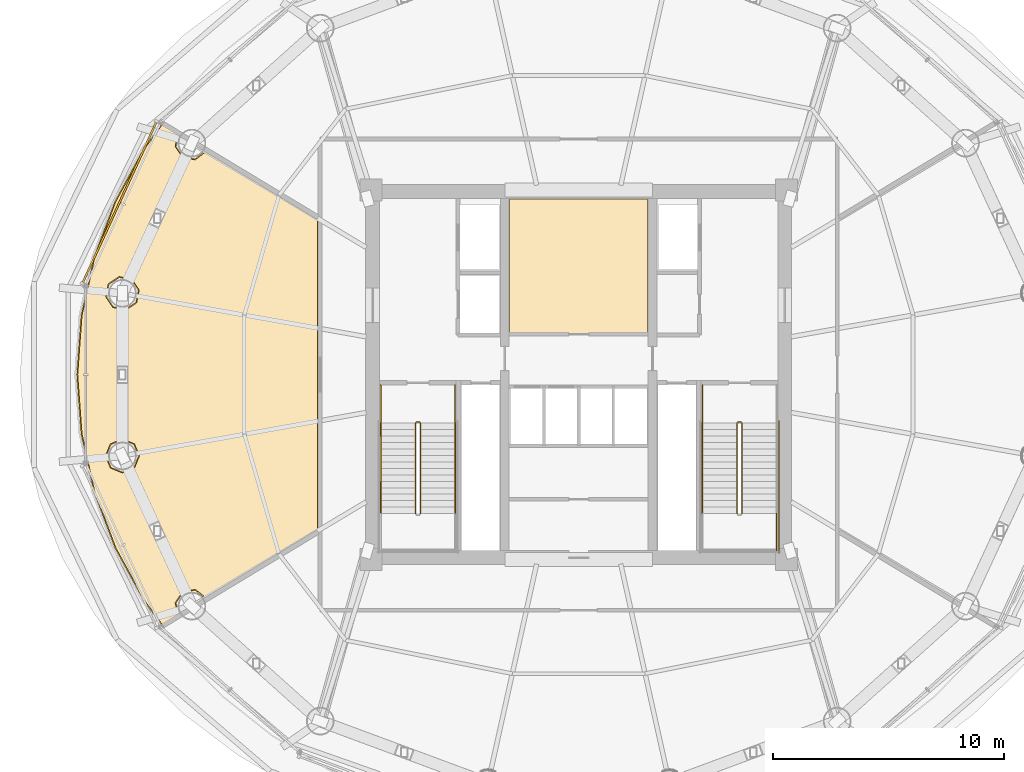
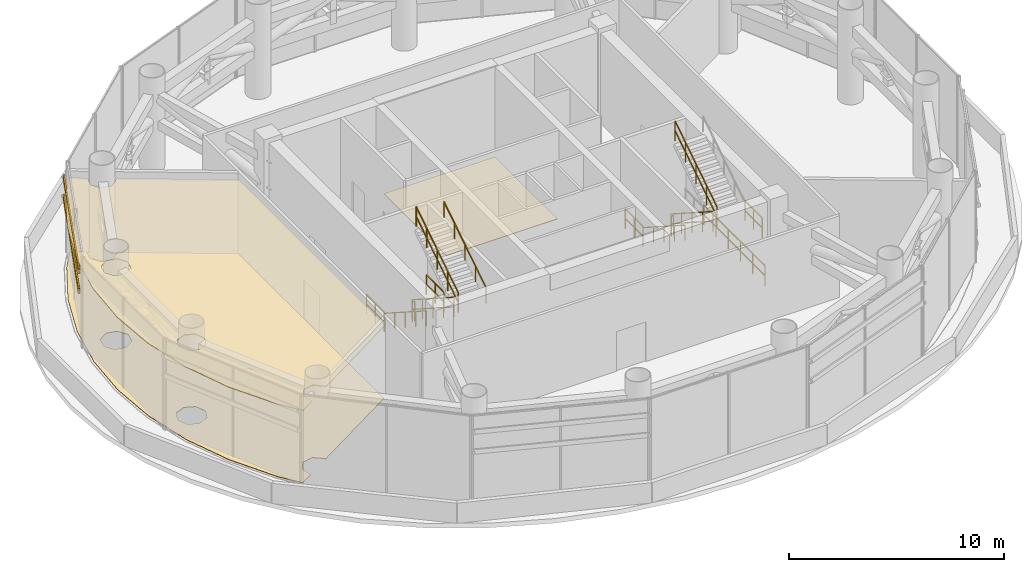
# One storey, part 24 of 25: 14 railings, 3 coverings, 2 shading devices.
"""IFC4 building model written with IfcOpenShell, lengths in metres."""

from ifc_helpers import new_model, si_unit, direction, frame, origin, origin_2d, place, context, subcontext, project, spatial, polyline, rectangle, hollow_rectangle, outline, extrude, source, transform, mapped, material, layer, layer_set, material_profile, profile_set, type_object, element, save


model = new_model("IFC4")

# Units and contexts
model_context = context("Model", 3, precision=1e-05, world=origin(), true_north=direction((-0.2419218956, 0.970295726276)))
body_context = subcontext(model_context, "Body", "Model", "MODEL_VIEW")
ifc_project = project(units=[si_unit("LENGTHUNIT", "METRE"), si_unit("AREAUNIT", "SQUARE_METRE"), si_unit("VOLUMEUNIT", "CUBIC_METRE"), si_unit("PLANEANGLEUNIT", "RADIAN"), si_unit("MASSUNIT", "GRAM", prefix="KILO")], contexts=[model_context])

# Site, building, storey
site_placement = place(None, origin())
site = spatial("IfcSite", under=ifc_project, at=site_placement, CompositionType="ELEMENT")
building_placement = place(site_placement, origin())
building = spatial("IfcBuilding", under=site, at=building_placement, Name="Cobrevalo Terracotta Tower", CompositionType="ELEMENT")
storey_placement = place(building_placement, frame((0.0, 0.0, 185.800048828125)))
storey = spatial("IfcBuildingStorey", under=building, at=storey_placement, Name="L49", CompositionType="ELEMENT", Elevation=185.800048828125)

# Coverings
ifc_material_1 = material(Name="Honed terracotta and granite tile", Category="masonry")
ifc_layer_1 = layer(ifc_material_1, 0.034912109375)
ifc_layer_set_1 = layer_set([ifc_layer_1], Name="Honed terracotta and granite tile")
covering_type_1 = type_object("IfcCoveringType", Name="Honed Terracotta & Granite Interior Flooring 35", PredefinedType="FLOORING", material=ifc_layer_set_1)
covering_1_placement = place(storey_placement, origin())
element("IfcCovering", 1, at=covering_1_placement, inside=storey, type_object=covering_type_1, Name="Floor Electrical Switchroom floor finish", PredefinedType="FLOORING", context=body_context, shape_type="SweptSolid", body=[
    extrude(outline(polyline([(35.010009765625, 34.405029296875), (40.989990234375, 34.405029296875), (40.989990234375, 28.580078125), (35.010009765625, 28.580078125), (35.010009765625, 34.405029296875)])), origin(), (0.0, 0.0, 1.0), 0.030029296875),
])
covering_2_placement = place(storey_placement, origin())
element("IfcCovering", 2, at=covering_2_placement, inside=storey, type_object=covering_type_1, Name="L49 Pressurized Fire Refuge Area floor finish", PredefinedType="FLOORING", context=body_context, shape_type="SweptSolid", body=[
    extrude(outline(polyline([(17.95166015625, 19.300048828125), (17.039306640625, 21.727783203125), (16.485595703125, 24.241943359375), (16.300048828125, 26.800048828125), (16.485595703125, 29.35791015625), (17.039306640625, 31.872314453125), (17.95166015625, 34.2998046875), (19.206787109375, 36.59912109375), (19.986572265625, 37.6533203125), (20.647216796875, 37.25439453125), (20.52001953125, 36.68359375), (20.834716796875, 36.212646484375), (21.390380859375, 36.10205078125), (21.903564453125, 36.495849609375), (26.695068359375, 33.602783203125), (26.695068359375, 19.997314453125), (21.903564453125, 17.10400390625), (21.390380859375, 17.497802734375), (20.834716796875, 17.38720703125), (20.52001953125, 16.916259765625), (20.647216796875, 16.345458984375), (19.986572265625, 15.946533203125), (19.206787109375, 17.000732421875), (17.95166015625, 19.300048828125)]), holes=[polyline([(18.760498046875, 22.75537109375), (18.977294921875, 23.278564453125), (18.760498046875, 23.802001953125), (18.237060546875, 24.018798828125), (17.7138671875, 23.802001953125), (17.4970703125, 23.278564453125), (17.7138671875, 22.75537109375), (18.237060546875, 22.53857421875), (18.760498046875, 22.75537109375)]), polyline([(18.8525390625, 29.91015625), (18.963134765625, 30.4658203125), (18.6484375, 30.936767578125), (18.0927734375, 31.04736328125), (17.621826171875, 30.732666015625), (17.51123046875, 30.177001953125), (17.825927734375, 29.7060546875), (18.381591796875, 29.595458984375), (18.8525390625, 29.91015625)])]), origin(), (0.0, 0.0, 1.0), 0.030029296875),
])
ifc_material_2 = material(Name="Acoustic perforated gypsum ceiling", Category="gypsum")
ifc_layer_2 = layer(ifc_material_2, 0.050048828125)
ifc_layer_set_2 = layer_set([ifc_layer_2], Name="Acoustic perforated gypsum ceiling")
covering_type_2 = type_object("IfcCoveringType", Name="Perforated Acoustic Gypsum Ceiling 50", PredefinedType="CEILING", material=ifc_layer_set_2)
covering_3_placement = place(storey_placement, frame((0.0, 0.0, 4.14501953125)))
element("IfcCovering", 3, at=covering_3_placement, inside=storey, type_object=covering_type_2, Name="L49 Pressurized Fire Refuge Area acoustic ceiling", PredefinedType="CEILING", context=body_context, shape_type="SweptSolid", body=[
    extrude(outline(polyline([(17.91064453125, 19.28125), (16.99609375, 21.71484375), (16.44091796875, 24.2353515625), (16.2548828125, 26.800048828125), (16.44091796875, 29.364501953125), (16.99609375, 31.88525390625), (17.91064453125, 34.318603515625), (19.168701171875, 36.62353515625), (19.974853515625, 37.713134765625), (20.708740234375, 37.27001953125), (20.564453125, 36.6923828125), (20.85986328125, 36.250244140625), (21.38134765625, 36.146484375), (21.88623046875, 36.558837890625), (26.739990234375, 33.628173828125), (26.739990234375, 19.971923828125), (21.88623046875, 17.041015625), (21.38134765625, 17.453369140625), (20.85986328125, 17.349609375), (20.564453125, 16.907470703125), (20.708740234375, 16.330078125), (19.974853515625, 15.886962890625), (19.168701171875, 16.9765625), (17.91064453125, 19.28125)]), holes=[polyline([(18.728515625, 22.787353515625), (18.93212890625, 23.278564453125), (18.728515625, 23.77001953125), (18.237060546875, 23.973388671875), (17.745849609375, 23.77001953125), (17.542236328125, 23.278564453125), (17.745849609375, 22.787353515625), (18.237060546875, 22.583740234375), (18.728515625, 22.787353515625)]), polyline([(18.81494140625, 29.935302734375), (18.918701171875, 30.45703125), (18.623291015625, 30.899169921875), (18.1015625, 31.0029296875), (17.659423828125, 30.70751953125), (17.5556640625, 30.185791015625), (17.85107421875, 29.74365234375), (18.372802734375, 29.639892578125), (18.81494140625, 29.935302734375)])]), origin(), (0.0, 0.0, 1.0), 0.050048828125),
])

# Railings
ifc_material_3 = material(Name="Brushed stainless steel", Category="steel")
railing_type_1 = type_object("IfcRailingType", Name="Stainless Steel Stair Handrail 900", PredefinedType="HANDRAIL", material=ifc_material_3)
railing_1_placement = place(storey_placement, frame((29.425048828125, 24.699951171875, 0.179931640625)))
element("IfcRailing", 4, at=railing_1_placement, inside=storey, type_object=railing_type_1, Name="L49 ST-1 stair handrail 1", PredefinedType="HANDRAIL", context=body_context, shape_type="SweptSolid", body=[
    extrude(rectangle(XDim=0.048095703125, YDim=0.048095703125, at=origin_2d()), frame((0.0, 0.0, 0.8759765625), z_axis=(0.0, -0.841171666519, 0.540768182723), x_axis=(1.0, 0.0, 0.0)), (0.0, 0.0, 1.0), 4.66015625),
    extrude(rectangle(XDim=0.0419921875, YDim=0.0419921875, at=origin_2d()), origin(), (0.0, 0.0, 1.0), 0.851806640625),
    extrude(rectangle(XDim=0.0419921875, YDim=0.0419921875, at=origin_2d()), frame((0.0, -0.97998046875, 0.6298828125)), (0.0, 0.0, 1.0), 0.851806640625),
    extrude(rectangle(XDim=0.0419921875, YDim=0.0419921875, at=origin_2d()), frame((0.0, -1.9599609375, 1.260009765625)), (0.0, 0.0, 1.0), 0.851806640625),
    extrude(rectangle(XDim=0.0419921875, YDim=0.0419921875, at=origin_2d()), frame((0.0, -2.93994140625, 1.89013671875)), (0.0, 0.0, 1.0), 0.851806640625),
    extrude(rectangle(XDim=0.0419921875, YDim=0.0419921875, at=origin_2d()), frame((0.0, -3.919921875, 2.52001953125)), (0.0, 0.0, 1.0), 0.851806640625),
])
railing_2_placement = place(storey_placement, frame((32.64501953125, 20.780029296875, 2.8798828125)))
element("IfcRailing", 5, at=railing_2_placement, inside=storey, type_object=railing_type_1, Name="L49 ST-1 stair handrail 2", PredefinedType="HANDRAIL", context=body_context, shape_type="SweptSolid", body=[
    extrude(rectangle(XDim=0.048095703125, YDim=0.048095703125, at=origin_2d()), frame((0.0, 0.0, 0.8759765625), z_axis=(0.0, 0.841171666519, 0.540768182723), x_axis=(-1.0, 0.0, 0.0)), (0.0, 0.0, 1.0), 4.66015625),
    extrude(rectangle(XDim=0.0419921875, YDim=0.0419921875, at=origin_2d()), origin(), (0.0, 0.0, 1.0), 0.851806640625),
    extrude(rectangle(XDim=0.0419921875, YDim=0.0419921875, at=origin_2d()), frame((0.0, 0.97998046875, 0.6298828125)), (0.0, 0.0, 1.0), 0.851806640625),
    extrude(rectangle(XDim=0.0419921875, YDim=0.0419921875, at=origin_2d()), frame((0.0, 1.9599609375, 1.260009765625)), (0.0, 0.0, 1.0), 0.851806640625),
    extrude(rectangle(XDim=0.0419921875, YDim=0.0419921875, at=origin_2d()), frame((0.0, 2.93994140625, 1.89013671875)), (0.0, 0.0, 1.0), 0.851806640625),
    extrude(rectangle(XDim=0.0419921875, YDim=0.0419921875, at=origin_2d()), frame((0.0, 3.919921875, 2.52001953125)), (0.0, 0.0, 1.0), 0.851806640625),
])
railing_3_placement = place(storey_placement, frame((43.35498046875, 24.699951171875, 0.179931640625)))
element("IfcRailing", 6, at=railing_3_placement, inside=storey, type_object=railing_type_1, Name="L49 ST-2 stair handrail 1", PredefinedType="HANDRAIL", context=body_context, shape_type="SweptSolid", body=[
    extrude(rectangle(XDim=0.048095703125, YDim=0.048095703125, at=origin_2d()), frame((0.0, 0.0, 0.8759765625), z_axis=(0.0, -0.841171666519, 0.540768182723), x_axis=(1.0, 0.0, 0.0)), (0.0, 0.0, 1.0), 4.66015625),
    extrude(rectangle(XDim=0.0419921875, YDim=0.0419921875, at=origin_2d()), origin(), (0.0, 0.0, 1.0), 0.851806640625),
    extrude(rectangle(XDim=0.0419921875, YDim=0.0419921875, at=origin_2d()), frame((0.0, -0.97998046875, 0.6298828125)), (0.0, 0.0, 1.0), 0.851806640625),
    extrude(rectangle(XDim=0.0419921875, YDim=0.0419921875, at=origin_2d()), frame((0.0, -1.9599609375, 1.260009765625)), (0.0, 0.0, 1.0), 0.851806640625),
    extrude(rectangle(XDim=0.0419921875, YDim=0.0419921875, at=origin_2d()), frame((0.0, -2.93994140625, 1.89013671875)), (0.0, 0.0, 1.0), 0.851806640625),
    extrude(rectangle(XDim=0.0419921875, YDim=0.0419921875, at=origin_2d()), frame((0.0, -3.919921875, 2.52001953125)), (0.0, 0.0, 1.0), 0.851806640625),
])
ifc_material_4 = material(Name="Painted galvanized steel", Category="steel")
railing_type_2 = type_object("IfcRailingType", Name="Stair Well Guard Balustrade 1150", PredefinedType="GUARDRAIL", material=ifc_material_4)
railing_4_placement = place(storey_placement, frame((30.925048828125, 24.699951171875, 0.179931640625)))
element("IfcRailing", 7, at=railing_4_placement, inside=storey, type_object=railing_type_2, Name="L49 ST-1 stair guard 1", PredefinedType="GUARDRAIL", context=body_context, shape_type="SweptSolid", body=[
    extrude(rectangle(XDim=0.048095703125, YDim=0.048095703125, at=origin_2d()), frame((0.0, 0.0, 1.1259765625), z_axis=(0.0, -0.841171666519, 0.540768182723), x_axis=(1.0, 0.0, 0.0)), (0.0, 0.0, 1.0), 4.66015625),
    extrude(rectangle(XDim=0.048095703125, YDim=0.048095703125, at=origin_2d()), frame((0.0, 0.0, 0.574951171875), z_axis=(0.0, -0.841171666519, 0.540768182723), x_axis=(1.0, 0.0, 0.0)), (0.0, 0.0, 1.0), 4.66015625),
    extrude(rectangle(XDim=0.0419921875, YDim=0.0419921875, at=origin_2d()), origin(), (0.0, 0.0, 1.0), 1.101806640625),
    extrude(rectangle(XDim=0.0419921875, YDim=0.0419921875, at=origin_2d()), frame((0.0, -0.97998046875, 0.6298828125)), (0.0, 0.0, 1.0), 1.101806640625),
    extrude(rectangle(XDim=0.0419921875, YDim=0.0419921875, at=origin_2d()), frame((0.0, -1.9599609375, 1.260009765625)), (0.0, 0.0, 1.0), 1.101806640625),
    extrude(rectangle(XDim=0.0419921875, YDim=0.0419921875, at=origin_2d()), frame((0.0, -2.93994140625, 1.89013671875)), (0.0, 0.0, 1.0), 1.101806640625),
    extrude(rectangle(XDim=0.0419921875, YDim=0.0419921875, at=origin_2d()), frame((0.0, -3.919921875, 2.52001953125)), (0.0, 0.0, 1.0), 1.101806640625),
])
railing_5_placement = place(storey_placement, frame((31.14501953125, 20.780029296875, 2.8798828125)))
element("IfcRailing", 8, at=railing_5_placement, inside=storey, type_object=railing_type_2, Name="L49 ST-1 stair guard 6", PredefinedType="GUARDRAIL", context=body_context, shape_type="SweptSolid", body=[
    extrude(rectangle(XDim=0.048095703125, YDim=0.048095703125, at=origin_2d()), frame((0.0, 0.0, 1.1259765625), z_axis=(0.0, 0.841171666519, 0.540768182723), x_axis=(-1.0, 0.0, 0.0)), (0.0, 0.0, 1.0), 4.66015625),
    extrude(rectangle(XDim=0.048095703125, YDim=0.048095703125, at=origin_2d()), frame((0.0, 0.0, 0.574951171875), z_axis=(0.0, 0.841171666519, 0.540768182723), x_axis=(-1.0, 0.0, 0.0)), (0.0, 0.0, 1.0), 4.66015625),
    extrude(rectangle(XDim=0.0419921875, YDim=0.0419921875, at=origin_2d()), origin(), (0.0, 0.0, 1.0), 1.101806640625),
    extrude(rectangle(XDim=0.0419921875, YDim=0.0419921875, at=origin_2d()), frame((0.0, 0.97998046875, 0.6298828125)), (0.0, 0.0, 1.0), 1.101806640625),
    extrude(rectangle(XDim=0.0419921875, YDim=0.0419921875, at=origin_2d()), frame((0.0, 1.9599609375, 1.260009765625)), (0.0, 0.0, 1.0), 1.101806640625),
    extrude(rectangle(XDim=0.0419921875, YDim=0.0419921875, at=origin_2d()), frame((0.0, 2.93994140625, 1.89013671875)), (0.0, 0.0, 1.0), 1.101806640625),
    extrude(rectangle(XDim=0.0419921875, YDim=0.0419921875, at=origin_2d()), frame((0.0, 3.919921875, 2.52001953125)), (0.0, 0.0, 1.0), 1.101806640625),
])
railing_6_placement = place(storey_placement, frame((30.97509765625, 24.75, 0.0)))
element("IfcRailing", 9, at=railing_6_placement, inside=storey, type_object=railing_type_2, Name="L49 ST-1 stair guard 7", PredefinedType="GUARDRAIL", context=body_context, shape_type="SweptSolid", body=[
    extrude(rectangle(XDim=0.048095703125, YDim=0.048095703125, at=origin_2d()), frame((0.0, 0.0, 1.1259765625), z_axis=(1.0, 0.0, 0.0), x_axis=(0.0, 1.0, 0.0)), (0.0, 0.0, 1.0), 0.119873046875),
    extrude(rectangle(XDim=0.048095703125, YDim=0.048095703125, at=origin_2d()), frame((0.0, 0.0, 0.574951171875), z_axis=(1.0, 0.0, 0.0), x_axis=(0.0, 1.0, 0.0)), (0.0, 0.0, 1.0), 0.119873046875),
    extrude(rectangle(XDim=0.0419921875, YDim=0.0419921875, at=origin_2d()), origin(), (0.0, 0.0, 1.0), 1.101806640625),
    extrude(rectangle(XDim=0.0419921875, YDim=0.0419921875, at=origin_2d()), frame((0.119873046875, 0.0, 0.0)), (0.0, 0.0, 1.0), 1.101806640625),
])
for number, where, name in (
    (10, (29.425048828125, 26.35009765625, 0.0), "L49 ST-1 stair guard 8"),
    (11, (32.64501953125, 26.35009765625, 0.0), "L49 ST-1 stair guard 9"),
):
    element("IfcRailing", number, at=place(storey_placement, frame(where)), inside=storey, type_object=railing_type_2, Name=name, PredefinedType="GUARDRAIL", context=body_context, shape_type="SweptSolid", body=[
        extrude(rectangle(XDim=0.048095703125, YDim=0.048095703125, at=origin_2d()), frame((0.0, 0.0, 1.1259765625), z_axis=(0.0, -1.0, 0.0), x_axis=(1.0, 0.0, 0.0)), (0.0, 0.0, 1.0), 1.650146484375),
        extrude(rectangle(XDim=0.048095703125, YDim=0.048095703125, at=origin_2d()), frame((0.0, 0.0, 0.574951171875), z_axis=(0.0, -1.0, 0.0), x_axis=(1.0, 0.0, 0.0)), (0.0, 0.0, 1.0), 1.650146484375),
        extrude(rectangle(XDim=0.0419921875, YDim=0.0419921875, at=origin_2d()), origin(), (0.0, 0.0, 1.0), 1.101806640625),
        extrude(rectangle(XDim=0.0419921875, YDim=0.0419921875, at=origin_2d()), frame((0.0, -0.8251953125, 0.0)), (0.0, 0.0, 1.0), 1.101806640625),
        extrude(rectangle(XDim=0.0419921875, YDim=0.0419921875, at=origin_2d()), frame((0.0, -1.650146484375, 0.0)), (0.0, 0.0, 1.0), 1.101806640625),
    ])
railing_7_placement = place(storey_placement, frame((44.85498046875, 24.699951171875, 0.179931640625)))
element("IfcRailing", 12, at=railing_7_placement, inside=storey, type_object=railing_type_2, Name="L49 ST-2 stair guard 1", PredefinedType="GUARDRAIL", context=body_context, shape_type="SweptSolid", body=[
    extrude(rectangle(XDim=0.048095703125, YDim=0.048095703125, at=origin_2d()), frame((0.0, 0.0, 1.1259765625), z_axis=(0.0, -0.841171666519, 0.540768182723), x_axis=(1.0, 0.0, 0.0)), (0.0, 0.0, 1.0), 4.66015625),
    extrude(rectangle(XDim=0.048095703125, YDim=0.048095703125, at=origin_2d()), frame((0.0, 0.0, 0.574951171875), z_axis=(0.0, -0.841171666519, 0.540768182723), x_axis=(1.0, 0.0, 0.0)), (0.0, 0.0, 1.0), 4.66015625),
    extrude(rectangle(XDim=0.0419921875, YDim=0.0419921875, at=origin_2d()), origin(), (0.0, 0.0, 1.0), 1.101806640625),
    extrude(rectangle(XDim=0.0419921875, YDim=0.0419921875, at=origin_2d()), frame((0.0, -0.97998046875, 0.6298828125)), (0.0, 0.0, 1.0), 1.101806640625),
    extrude(rectangle(XDim=0.0419921875, YDim=0.0419921875, at=origin_2d()), frame((0.0, -1.9599609375, 1.260009765625)), (0.0, 0.0, 1.0), 1.101806640625),
    extrude(rectangle(XDim=0.0419921875, YDim=0.0419921875, at=origin_2d()), frame((0.0, -2.93994140625, 1.89013671875)), (0.0, 0.0, 1.0), 1.101806640625),
    extrude(rectangle(XDim=0.0419921875, YDim=0.0419921875, at=origin_2d()), frame((0.0, -3.919921875, 2.52001953125)), (0.0, 0.0, 1.0), 1.101806640625),
])
railing_8_placement = place(storey_placement, frame((46.574951171875, 20.780029296875, 2.699951171875)))
element("IfcRailing", 13, at=railing_8_placement, inside=storey, type_object=railing_type_2, Name="L49 ST-2 stair guard 4", PredefinedType="GUARDRAIL", context=body_context, shape_type="SweptSolid", body=[
    extrude(rectangle(XDim=0.048095703125, YDim=0.048095703125, at=origin_2d()), frame((0.0, 0.0, 1.1259765625), z_axis=(0.0, -1.0, 0.0), x_axis=(1.0, 0.0, 0.0)), (0.0, 0.0, 1.0), 1.60498046875),
    extrude(rectangle(XDim=0.048095703125, YDim=0.048095703125, at=origin_2d()), frame((0.0, 0.0, 0.574951171875), z_axis=(0.0, -1.0, 0.0), x_axis=(1.0, 0.0, 0.0)), (0.0, 0.0, 1.0), 1.60498046875),
    extrude(rectangle(XDim=0.0419921875, YDim=0.0419921875, at=origin_2d()), origin(), (0.0, 0.0, 1.0), 1.101806640625),
    extrude(rectangle(XDim=0.0419921875, YDim=0.0419921875, at=origin_2d()), frame((0.0, -0.802490234375, 0.0)), (0.0, 0.0, 1.0), 1.101806640625),
    extrude(rectangle(XDim=0.0419921875, YDim=0.0419921875, at=origin_2d()), frame((0.0, -1.60498046875, 0.0)), (0.0, 0.0, 1.0), 1.101806640625),
])
railing_9_placement = place(storey_placement, frame((45.074951171875, 20.780029296875, 2.8798828125)))
element("IfcRailing", 14, at=railing_9_placement, inside=storey, type_object=railing_type_2, Name="L49 ST-2 stair guard 6", PredefinedType="GUARDRAIL", context=body_context, shape_type="SweptSolid", body=[
    extrude(rectangle(XDim=0.048095703125, YDim=0.048095703125, at=origin_2d()), frame((0.0, 0.0, 1.1259765625), z_axis=(0.0, 0.841171666519, 0.540768182723), x_axis=(-1.0, 0.0, 0.0)), (0.0, 0.0, 1.0), 4.66015625),
    extrude(rectangle(XDim=0.048095703125, YDim=0.048095703125, at=origin_2d()), frame((0.0, 0.0, 0.574951171875), z_axis=(0.0, 0.841171666519, 0.540768182723), x_axis=(-1.0, 0.0, 0.0)), (0.0, 0.0, 1.0), 4.66015625),
    extrude(rectangle(XDim=0.0419921875, YDim=0.0419921875, at=origin_2d()), origin(), (0.0, 0.0, 1.0), 1.101806640625),
    extrude(rectangle(XDim=0.0419921875, YDim=0.0419921875, at=origin_2d()), frame((0.0, 0.97998046875, 0.6298828125)), (0.0, 0.0, 1.0), 1.101806640625),
    extrude(rectangle(XDim=0.0419921875, YDim=0.0419921875, at=origin_2d()), frame((0.0, 1.9599609375, 1.260009765625)), (0.0, 0.0, 1.0), 1.101806640625),
    extrude(rectangle(XDim=0.0419921875, YDim=0.0419921875, at=origin_2d()), frame((0.0, 2.93994140625, 1.89013671875)), (0.0, 0.0, 1.0), 1.101806640625),
    extrude(rectangle(XDim=0.0419921875, YDim=0.0419921875, at=origin_2d()), frame((0.0, 3.919921875, 2.52001953125)), (0.0, 0.0, 1.0), 1.101806640625),
])
railing_10_placement = place(storey_placement, frame((44.905029296875, 24.75, 0.0)))
element("IfcRailing", 15, at=railing_10_placement, inside=storey, type_object=railing_type_2, Name="L49 ST-2 stair guard 7", PredefinedType="GUARDRAIL", context=body_context, shape_type="SweptSolid", body=[
    extrude(rectangle(XDim=0.048095703125, YDim=0.048095703125, at=origin_2d()), frame((0.0, 0.0, 1.1259765625), z_axis=(1.0, 0.0, 0.0), x_axis=(0.0, 1.0, 0.0)), (0.0, 0.0, 1.0), 0.119873046875),
    extrude(rectangle(XDim=0.048095703125, YDim=0.048095703125, at=origin_2d()), frame((0.0, 0.0, 0.574951171875), z_axis=(1.0, 0.0, 0.0), x_axis=(0.0, 1.0, 0.0)), (0.0, 0.0, 1.0), 0.119873046875),
    extrude(rectangle(XDim=0.0419921875, YDim=0.0419921875, at=origin_2d()), origin(), (0.0, 0.0, 1.0), 1.101806640625),
    extrude(rectangle(XDim=0.0419921875, YDim=0.0419921875, at=origin_2d()), frame((0.119873046875, 0.0, 0.0)), (0.0, 0.0, 1.0), 1.101806640625),
])
railing_11_placement = place(storey_placement, frame((43.35498046875, 26.35009765625, 0.0)))
element("IfcRailing", 16, at=railing_11_placement, inside=storey, type_object=railing_type_2, Name="L49 ST-2 stair guard 8", PredefinedType="GUARDRAIL", context=body_context, shape_type="SweptSolid", body=[
    extrude(rectangle(XDim=0.048095703125, YDim=0.048095703125, at=origin_2d()), frame((0.0, 0.0, 1.1259765625), z_axis=(0.0, -1.0, 0.0), x_axis=(1.0, 0.0, 0.0)), (0.0, 0.0, 1.0), 1.650146484375),
    extrude(rectangle(XDim=0.048095703125, YDim=0.048095703125, at=origin_2d()), frame((0.0, 0.0, 0.574951171875), z_axis=(0.0, -1.0, 0.0), x_axis=(1.0, 0.0, 0.0)), (0.0, 0.0, 1.0), 1.650146484375),
    extrude(rectangle(XDim=0.0419921875, YDim=0.0419921875, at=origin_2d()), origin(), (0.0, 0.0, 1.0), 1.101806640625),
    extrude(rectangle(XDim=0.0419921875, YDim=0.0419921875, at=origin_2d()), frame((0.0, -0.8251953125, 0.0)), (0.0, 0.0, 1.0), 1.101806640625),
    extrude(rectangle(XDim=0.0419921875, YDim=0.0419921875, at=origin_2d()), frame((0.0, -1.650146484375, 0.0)), (0.0, 0.0, 1.0), 1.101806640625),
])
railing_12_placement = place(storey_placement, frame((46.675048828125, 24.800048828125, 0.0)))
element("IfcRailing", 17, at=railing_12_placement, inside=storey, type_object=railing_type_2, Name="L49 ST-2 stair guard 11", PredefinedType="GUARDRAIL", context=body_context, shape_type="SweptSolid", body=[
    extrude(rectangle(XDim=0.048095703125, YDim=0.048095703125, at=origin_2d()), frame((0.0, 0.0, 1.1259765625), z_axis=(0.0, -1.0, 0.0), x_axis=(1.0, 0.0, 0.0)), (0.0, 0.0, 1.0), 5.72509765625),
    extrude(rectangle(XDim=0.048095703125, YDim=0.048095703125, at=origin_2d()), frame((0.0, 0.0, 0.574951171875), z_axis=(0.0, -1.0, 0.0), x_axis=(1.0, 0.0, 0.0)), (0.0, 0.0, 1.0), 5.72509765625),
    extrude(rectangle(XDim=0.0419921875, YDim=0.0419921875, at=origin_2d()), origin(), (0.0, 0.0, 1.0), 1.101806640625),
    extrude(rectangle(XDim=0.0419921875, YDim=0.0419921875, at=origin_2d()), frame((0.0, -1.14501953125, 0.0)), (0.0, 0.0, 1.0), 1.101806640625),
    extrude(rectangle(XDim=0.0419921875, YDim=0.0419921875, at=origin_2d()), frame((0.0, -2.2900390625, 0.0)), (0.0, 0.0, 1.0), 1.101806640625),
    extrude(rectangle(XDim=0.0419921875, YDim=0.0419921875, at=origin_2d()), frame((0.0, -3.43505859375, 0.0)), (0.0, 0.0, 1.0), 1.101806640625),
    extrude(rectangle(XDim=0.0419921875, YDim=0.0419921875, at=origin_2d()), frame((0.0, -4.580078125, 0.0)), (0.0, 0.0, 1.0), 1.101806640625),
    extrude(rectangle(XDim=0.0419921875, YDim=0.0419921875, at=origin_2d()), frame((0.0, -5.72509765625, 0.0)), (0.0, 0.0, 1.0), 1.101806640625),
])

# Shading devices
ifc_material_5 = material(Name="Anodized aluminium and terracotta", Category="masonry")
ifc_material_profile = material_profile(ifc_material_5, hollow_rectangle(XDim=0.074951171875, YDim=0.260009765625, WallThickness=0.006103515625, at=origin_2d()), Name="LOUVRE BLADE 75x260")
ifc_profile_set = profile_set([ifc_material_profile], Name="Anodized aluminium and terracotta")
shading_device_type = type_object("IfcShadingDeviceType", Name="Plant Acoustic Weather Louvre Blade 75x260", PredefinedType="USERDEFINED", material=ifc_profile_set)
shared_shape = source(origin(), body_context, "Body", "SweptSolid", [
    extrude(hollow_rectangle(XDim=0.074951171875, YDim=0.260009765625, WallThickness=0.006103515625, at=origin_2d()), origin(), (0.0, 0.0, 1.0), 7.719970703125),
])
for number, where, z_axis, x_axis, name in (
    (18, (19.718505859375, 37.7666015625, 3.18359375), (-0.416712422731, -0.909038369235, 0.0), (0.909038369235, -0.416712422731, 0.0), "CW-LV-L49-S07 horizontal terracotta louvre 1"),
    (19, (19.718505859375, 37.7666015625, 4.313232421875), (-0.416712422731, -0.909038369235, 0.0), (0.909038369235, -0.416712422731, 0.0), "CW-LV-L49-S07 horizontal terracotta louvre 2"),
):
    element("IfcShadingDevice", number, at=place(storey_placement, frame(where, z_axis=z_axis, x_axis=x_axis)), inside=storey, type_object=shading_device_type, Name=name, ObjectType="LOUVRE", PredefinedType="USERDEFINED", context=body_context, shape_type="MappedRepresentation", body=[
        mapped(shared_shape, transform((0.0, 0.0, 0.0), scale=1.0)),
    ])

save(model, "model.ifc")
